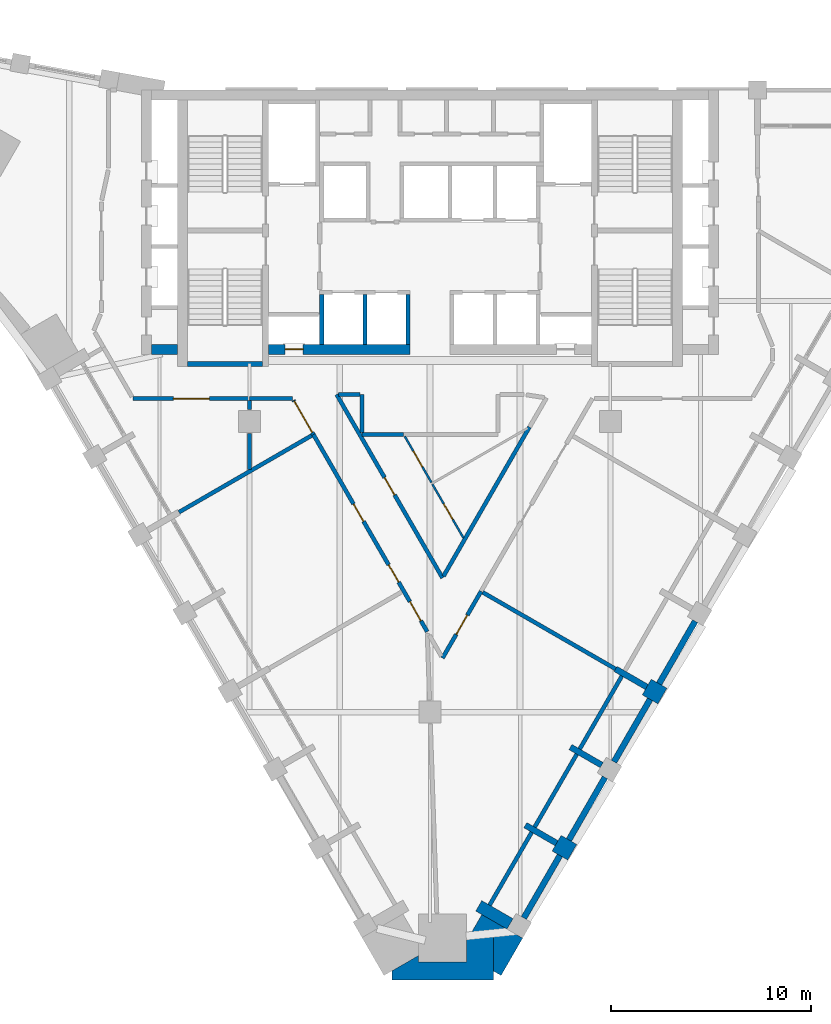
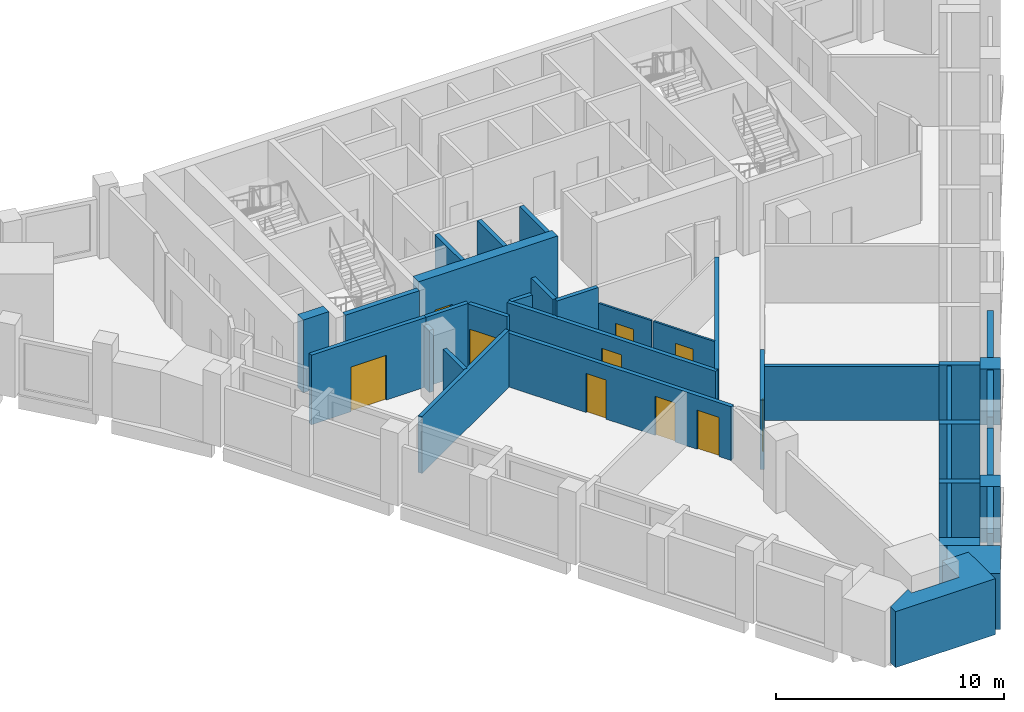
# One storey, part 3 of 9: 37 walls, 10 doors, 10 openings.
"""IFC4 building model written with IfcOpenShell, lengths in metres."""

from ifc_helpers import new_model, si_unit, direction, frame, frame_2d, origin, place, context, subcontext, project, spatial, polyline, rectangle, outline, extrude, material, layer, layer_set, type_object, element, fill, save


model = new_model("IFC4")

# Units and contexts
model_context = context("Model", 3, precision=1e-05, world=origin(), true_north=direction((0.0, 1.0)))
body_context = subcontext(model_context, "Body", "Model", "MODEL_VIEW")
ifc_project = project(units=[si_unit("LENGTHUNIT", "METRE"), si_unit("AREAUNIT", "SQUARE_METRE"), si_unit("VOLUMEUNIT", "CUBIC_METRE"), si_unit("PLANEANGLEUNIT", "RADIAN"), si_unit("MASSUNIT", "GRAM", prefix="KILO")], contexts=[model_context])

# Site, building, storey
site_placement = place(None, origin())
site = spatial("IfcSite", under=ifc_project, at=site_placement, CompositionType="ELEMENT")
building_placement = place(site_placement, origin())
building = spatial("IfcBuilding", under=site, at=building_placement, Name="Calabash Gate Tower", CompositionType="ELEMENT")
storey_placement = place(building_placement, frame((0.0, 0.0, 223.699951171875)))
storey = spatial("IfcBuildingStorey", under=building, at=storey_placement, Name="L53", CompositionType="ELEMENT", Elevation=223.699951171875)

# Walls
ifc_material_1 = material(Name="Terracotta brick masonry, exposed face", Category="masonry")
ifc_layer_1 = layer(ifc_material_1, 2.35009765625)
ifc_layer_set_1 = layer_set([ifc_layer_1], Name="Brick corner mass wall 2350")
wall_type_1 = type_object("IfcWallType", Name="Brick corner mass wall 2350", PredefinedType="SOLIDWALL", material=ifc_layer_set_1)
wall_1_placement = place(storey_placement, origin())
element("IfcWall", 1, at=wall_1_placement, inside=storey, type_object=wall_type_1, Name="Brick corner pier S15 2b", PredefinedType="SOLIDWALL", context=body_context, shape_type="SweptSolid", body=[
    extrude(outline(polyline([(1.825927734375, -24.471923828125), (-0.573974609375, -24.471923828125), (-0.573974609375, -24.146240234375), (-1.906005859375, -24.915283203125), (-1.906005859375, -25.365234375), (3.157958984375, -25.365234375), (3.157958984375, -23.01513671875), (1.825927734375, -23.01513671875), (1.825927734375, -24.471923828125)])), origin(), (0.0, 0.0, 1.0), 3.0),
])
wall_2_placement = place(storey_placement, origin())
element("IfcWall", 2, at=wall_2_placement, inside=storey, type_object=wall_type_1, Name="Brick corner pier S15 2c", PredefinedType="SOLIDWALL", context=body_context, shape_type="SweptSolid", body=[
    extrude(outline(polyline([(4.623779296875, -23.275634765625), (2.5888671875, -22.100830078125), (2.06103515625, -23.01513671875), (3.157958984375, -23.01513671875), (3.157958984375, -24.915283203125), (3.547607421875, -25.14013671875), (4.623779296875, -23.275634765625)])), origin(), (0.0, 0.0, 1.0), 3.0),
])
ifc_material_2 = material(Name="Terracotta brick masonry, exposed face", Category="masonry")
ifc_layer_2 = layer(ifc_material_2, 0.89990234375)
ifc_layer_set_2 = layer_set([ifc_layer_2], Name="Brick end wall 900")
wall_type_2 = type_object("IfcWallType", Name="Brick end wall 900", PredefinedType="SOLIDWALL", material=ifc_layer_set_2)
for number, where, z_axis, x_axis, name in (
    (3, (6.484375, -19.15380859375, 0.0), (0.0, 0.0, 1.0), (0.499902469156, 0.866081705922, 0.0), "Brick pier S15 SE2.1"),
    (4, (11.434326171875, -10.580078125, 0.0), (0.0, 0.0, 1.0), (-0.499902469156, -0.866081705922, 0.0), "Brick pier S15 SE2.3"),
):
    element("IfcWall", number, at=place(storey_placement, frame(where, z_axis=z_axis, x_axis=x_axis)), inside=storey, type_object=wall_type_2, Name=name, PredefinedType="SOLIDWALL", context=body_context, shape_type="SweptSolid", body=[
        extrude(rectangle(XDim=0.900146484375, YDim=0.89990234375, at=frame_2d((0.4501953125, 0.0))), origin(), (0.0, 0.0, 1.0), 3.0),
    ])
ifc_material_3 = material(Name="Terracotta brick masonry, exposed face", Category="masonry")
ifc_layer_3 = layer(ifc_material_3, 0.300048828125)
ifc_layer_set_3 = layer_set([ifc_layer_3], Name="Brick infill panel wall 300")
wall_type_3 = type_object("IfcWallType", Name="Brick infill panel wall 300", PredefinedType="SOLIDWALL", material=ifc_layer_set_3)
for number, where, z_axis, x_axis, name in (
    (5, (4.684326171875, -22.271484375, 0.0), (0.0, 0.0, 1.0), (0.500012057535, 0.866018442252, 0.0), "Brick panel S15 SE2.1"),
    (6, (6.934326171875, -18.374267578125, 0.0), (0.0, 0.0, 1.0), (0.500012057535, 0.866018442252, 0.0), "Brick panel S15 SE2.2"),
):
    element("IfcWall", number, at=place(storey_placement, frame(where, z_axis=z_axis, x_axis=x_axis)), inside=storey, type_object=wall_type_3, Name=name, PredefinedType="SOLIDWALL", context=body_context, shape_type="SweptSolid", body=[
        extrude(rectangle(XDim=3.60009765625, YDim=0.300048828125, at=frame_2d((1.800048828125, 0.0))), origin(), (0.0, 0.0, 1.0), 3.0),
    ])
wall_3_placement = place(storey_placement, frame((9.184326171875, -14.477294921875, 0.0), z_axis=(0.0, 0.0, 1.0), x_axis=(0.500012057535, 0.866018442252, 0.0)))
element("IfcWall", 7, at=wall_3_placement, inside=storey, type_object=wall_type_3, Name="Brick panel S15 SE2.3", PredefinedType="SOLIDWALL", context=body_context, shape_type="SweptSolid", body=[
    extrude(rectangle(XDim=3.60009765625, YDim=0.300048828125, at=frame_2d((1.800048828125, 0.0))), origin(), (0.0, 0.0, 1.0), 2.9501953125),
])
wall_4_placement = place(storey_placement, frame((11.434326171875, -10.580078125, 0.0), z_axis=(0.0, 0.0, 1.0), x_axis=(0.499990559667, 0.866030854095, 0.0)))
element("IfcWall", 8, at=wall_4_placement, inside=storey, type_object=wall_type_3, Name="Brick panel S15 SE2.4", PredefinedType="SOLIDWALL", context=body_context, shape_type="SweptSolid", body=[
    extrude(rectangle(XDim=3.599609375, YDim=0.300048828125, at=frame_2d((1.7998046875, 0.0))), origin(), (0.0, 0.0, 1.0), 3.0),
])
ifc_material_4 = material(Name="Terracotta brick masonry, exposed face", Category="masonry")
ifc_layer_4 = layer(ifc_material_4, 0.300048828125)
ifc_layer_set_4 = layer_set([ifc_layer_4], Name="Brick loggia cheek wall 300")
wall_type_4 = type_object("IfcWallType", Name="Brick loggia cheek wall 300", PredefinedType="SOLIDWALL", material=ifc_layer_set_4)
wall_5_placement = place(storey_placement, frame((2.435791015625, -21.666015625, 0.0), z_axis=(0.0, 0.0, 1.0), x_axis=(0.866013897511, -0.50001992892, 0.0)))
element("IfcWall", 9, at=wall_5_placement, inside=storey, type_object=wall_type_4, Name="Loggia cheek S15 SE2.0", PredefinedType="SOLIDWALL", context=body_context, shape_type="SweptSolid", body=[
    extrude(rectangle(XDim=1.7998046875, YDim=0.60009765625, at=frame_2d((0.89990234375, 0.0))), origin(), (0.0, 0.0, 1.0), 3.0),
])
wall_6_placement = place(storey_placement, frame((6.319580078125, -18.5390625, 0.0), z_axis=(0.0, 0.0, 1.0), x_axis=(-0.865989075817, 0.500062916607, 0.0)))
element("IfcWall", 10, at=wall_6_placement, inside=storey, type_object=wall_type_4, Name="Loggia cheek S15 SE2.1", PredefinedType="SOLIDWALL", context=body_context, shape_type="SweptSolid", body=[
    extrude(rectangle(XDim=1.800048828125, YDim=0.300048828125, at=frame_2d((0.89990234375, 0.0))), origin(), (0.0, 0.0, 1.0), 3.0),
])
wall_7_placement = place(storey_placement, frame((8.5693359375, -14.641845703125, 0.0), z_axis=(0.0, 0.0, 1.0), x_axis=(-0.866013897511, 0.50001992892, 0.0)))
element("IfcWall", 11, at=wall_7_placement, inside=storey, type_object=wall_type_4, Name="Loggia cheek S15 SE2.2", PredefinedType="SOLIDWALL", context=body_context, shape_type="SweptSolid", body=[
    extrude(rectangle(XDim=1.7998046875, YDim=0.300048828125, at=frame_2d((0.89990234375, 0.0))), origin(), (0.0, 0.0, 1.0), 3.0),
])
wall_8_placement = place(storey_placement, frame((10.819580078125, -10.744873046875, 0.0), z_axis=(0.0, 0.0, 1.0), x_axis=(-0.865989075817, 0.500062916607, 0.0)))
element("IfcWall", 12, at=wall_8_placement, inside=storey, type_object=wall_type_4, Name="Loggia cheek S15 SE2.3", PredefinedType="SOLIDWALL", context=body_context, shape_type="SweptSolid", body=[
    extrude(rectangle(XDim=1.800048828125, YDim=0.300048828125, at=frame_2d((0.89990234375, 0.0))), origin(), (0.0, 0.0, 1.0), 3.0),
])
ifc_material_5 = material(Name="Concrete C70/85", Category="concrete")
ifc_layer_5 = layer(ifc_material_5, 0.25)
ifc_layer_set_5 = layer_set([ifc_layer_5], Name="Core wall 250 Concrete C70/85")
wall_type_5 = type_object("IfcWallType", Name="Core wall 250 Concrete C70/85", PredefinedType="SHEAR", material=ifc_layer_set_5)
wall_9_placement = place(storey_placement, frame((-12.10009765625, 5.377685546875, 0.0), z_axis=(0.0, 0.0, 1.0), x_axis=(1.0, 0.0, 0.0)))
element("IfcWall", 13, at=wall_9_placement, inside=storey, type_object=wall_type_5, Name="Core wall Z4-SSW L53", PredefinedType="SHEAR", context=body_context, shape_type="SweptSolid", body=[
    extrude(rectangle(XDim=3.75, YDim=0.25, at=frame_2d((1.875, 0.0))), origin(), (0.0, 0.0, 1.0), 3.900146484375),
])

# Wall, opening, door
ifc_material_6 = material(Name="Concrete C70/85", Category="concrete")
ifc_layer_6 = layer(ifc_material_6, 0.5)
ifc_layer_set_6 = layer_set([ifc_layer_6], Name="Core wall 500 Concrete C70/85")
wall_type_6 = type_object("IfcWallType", Name="Core wall 500 Concrete C70/85", PredefinedType="SHEAR", material=ifc_layer_set_6)
wall_10_placement = place(storey_placement, frame((-8.050048828125, 6.1025390625, 0.0), z_axis=(0.0, 0.0, 1.0), x_axis=(1.0, 0.0, 0.0)))
wall_10 = element("IfcWall", 14, at=wall_10_placement, inside=storey, type_object=wall_type_6, Name="Core wall Z4-SA L53", PredefinedType="SHEAR", context=body_context, shape_type="SweptSolid", body=[
    extrude(rectangle(XDim=7.050048828125, YDim=0.5, at=frame_2d((3.52490234375, 0.0))), origin(), (0.0, 0.0, 1.0), 3.900146484375),
])
opening_1_placement = place(wall_10_placement, frame((0.824951171875, 0.0, 0.0)))
opening_1 = element("IfcOpeningElement", 15, at=opening_1_placement, cuts=wall_10, Name="Opening O7-017", PredefinedType="OPENING", context=body_context, shape_type="SweptSolid", body=[
    extrude(rectangle(XDim=0.89990234375, YDim=2.10009765625, at=frame_2d((0.449951171875, 1.050048828125))), frame((0.0, 0.260009765625, 0.0), z_axis=(0.0, -1.0, 0.0), x_axis=(1.0, 0.0, 0.0)), (0.0, 0.0, 1.0), 0.52001953125),
])
ifc_material_7 = material(Name="Steel fire door set with fire-resisting glazing", Category="steel")
door_type_1 = type_object("IfcDoorType", Name="Fire door D07 900x2100 FD90", OperationType="NOTDEFINED", PredefinedType="DOOR", material=ifc_material_7)
door_1_placement = place(opening_1_placement, origin())
door_1 = element("IfcDoor", 16, at=door_1_placement, inside=storey, type_object=door_type_1, Name="Electrical Riser W door", OperationType="SINGLE_SWING_LEFT", OverallHeight=2.10009765625, OverallWidth=0.89990234375, PredefinedType="DOOR", context=body_context, shape_type="SweptSolid", body=[
    extrude(rectangle(XDim=0.89990234375, YDim=2.10009765625, at=frame_2d((0.449951171875, 1.050048828125))), frame((0.0, 0.02490234375, 0.0), z_axis=(0.0, -1.0, 0.0), x_axis=(1.0, 0.0, 0.0)), (0.0, 0.0, 1.0), 0.050048828125),
])
fill(opening_1, door_1)

# Wall
wall_11_placement = place(storey_placement, frame((-12.60009765625, 6.1025390625, 0.0), z_axis=(0.0, 0.0, 1.0), x_axis=(-1.0, 0.0, 0.0)))
element("IfcWall", 17, at=wall_11_placement, inside=storey, type_object=wall_type_6, Name="Core wall Z4-SW L53", PredefinedType="SHEAR", context=body_context, shape_type="SweptSolid", body=[
    extrude(rectangle(XDim=1.2998046875, YDim=0.5, at=frame_2d((0.64990234375, 0.0))), origin(), (0.0, 0.0, 1.0), 3.900146484375),
])

# Wall, opening, door
ifc_material_8 = material(Name="Gypsum board on steel studs, mineral wool", Category="steel")
ifc_layer_7 = layer(ifc_material_8, 0.10009765625)
ifc_layer_set_7 = layer_set([ifc_layer_7], Name="Partition 100 gypsum board")
wall_type_7 = type_object("IfcWallType", Name="Partition 100 gypsum board", PredefinedType="PARTITIONING", material=ifc_layer_set_7)
wall_12_placement = place(storey_placement, frame((0.1240234375, -0.631103515625, 0.0), z_axis=(0.0, 0.0, 1.0), x_axis=(0.500479866737, -0.865748175274, 0.0)))
wall_12 = element("IfcWall", 18, at=wall_12_placement, inside=storey, type_object=wall_type_7, Name="Partition", PredefinedType="PARTITIONING", context=body_context, shape_type="SweptSolid", body=[
    extrude(rectangle(XDim=3.0966796875, YDim=0.10009765625, at=frame_2d((1.54833984375, 0.0))), origin(), (0.0, 0.0, 1.0), 2.884033203125),
])
opening_2_placement = place(wall_12_placement, frame((1.123779296875, 0.0, 0.0)))
opening_2 = element("IfcOpeningElement", 19, at=opening_2_placement, cuts=wall_12, Name="Opening 52-54-015", PredefinedType="OPENING", context=body_context, shape_type="SweptSolid", body=[
    extrude(rectangle(XDim=0.89990234375, YDim=2.10009765625, at=frame_2d((0.449951171875, 1.050048828125))), frame((0.0, 0.06005859375, 0.0), z_axis=(0.0, -1.0, 0.0), x_axis=(1.0, 0.0, 0.0)), (0.0, 0.0, 1.0), 0.1201171875),
])
ifc_material_9 = material(Name="Painted timber door", Category="wood")
door_type_2 = type_object("IfcDoorType", Name="WD1 WC door 900x2100", OperationType="NOTDEFINED", PredefinedType="DOOR", material=ifc_material_9)
door_2_placement = place(opening_2_placement, origin())
door_2 = element("IfcDoor", 20, at=door_2_placement, inside=storey, type_object=door_type_2, Name="WC door", OperationType="SINGLE_SWING_RIGHT", OverallHeight=2.10009765625, OverallWidth=0.89990234375, PredefinedType="DOOR", context=body_context, shape_type="SweptSolid", body=[
    extrude(rectangle(XDim=0.89990234375, YDim=2.10009765625, at=frame_2d((0.449951171875, 1.050048828125))), frame((0.0, 0.02490234375, 0.0), z_axis=(0.0, -1.0, 0.0), x_axis=(1.0, 0.0, 0.0)), (0.0, 0.0, 1.0), 0.050048828125),
])
fill(opening_2, door_2)

wall_13_placement = place(storey_placement, frame((-1.2578125, 1.765869140625, 0.0), z_axis=(0.0, 0.0, 1.0), x_axis=(0.50002892151, -0.866008705299, 0.0)))
wall_13 = element("IfcWall", 21, at=wall_13_placement, inside=storey, type_object=wall_type_7, Name="Partition", PredefinedType="PARTITIONING", context=body_context, shape_type="SweptSolid", body=[
    extrude(rectangle(XDim=2.666259765625, YDim=0.10009765625, at=frame_2d((1.3330078125, 0.0))), origin(), (0.0, 0.0, 1.0), 2.884033203125),
])
opening_3_placement = place(wall_13_placement, frame((0.857666015625, 0.0, 0.0)))
opening_3 = element("IfcOpeningElement", 22, at=opening_3_placement, cuts=wall_13, Name="Opening 52-54-014", PredefinedType="OPENING", context=body_context, shape_type="SweptSolid", body=[
    extrude(rectangle(XDim=0.89990234375, YDim=2.10009765625, at=frame_2d((0.449951171875, 1.050048828125))), frame((0.0, 0.06005859375, 0.0), z_axis=(0.0, -1.0, 0.0), x_axis=(1.0, 0.0, 0.0)), (0.0, 0.0, 1.0), 0.1201171875),
])
door_3_placement = place(opening_3_placement, origin())
door_3 = element("IfcDoor", 23, at=door_3_placement, inside=storey, type_object=door_type_2, Name="WC door", OperationType="SINGLE_SWING_LEFT", OverallHeight=2.10009765625, OverallWidth=0.89990234375, PredefinedType="DOOR", context=body_context, shape_type="SweptSolid", body=[
    extrude(rectangle(XDim=0.89990234375, YDim=2.10009765625, at=frame_2d((0.449951171875, 1.050048828125))), frame((0.0, 0.02490234375, 0.0), z_axis=(0.0, -1.0, 0.0), x_axis=(1.0, 0.0, 0.0)), (0.0, 0.0, 1.0), 0.050048828125),
])
fill(opening_3, door_3)

# Wall
ifc_material_10 = material(Name="Gypsum board on steel studs, mineral wool", Category="steel")
ifc_layer_8 = layer(ifc_material_10, 0.199951171875)
ifc_layer_set_8 = layer_set([ifc_layer_8], Name="Partition 200 gypsum board EI 60")
wall_type_8 = type_object("IfcWallType", Name="Partition 200 gypsum board EI 60", PredefinedType="PARTITIONING", material=ifc_layer_set_8)
wall_14_placement = place(storey_placement, frame((2.635009765625, -6.021728515625, 0.0), z_axis=(0.0, 0.0, 1.0), x_axis=(0.866123944565, -0.499829283508, 0.0)))
element("IfcWall", 24, at=wall_14_placement, inside=storey, type_object=wall_type_8, Name="Partition", PredefinedType="PARTITIONING", context=body_context, shape_type="SweptSolid", body=[
    extrude(rectangle(XDim=7.649658203125, YDim=0.199951171875, at=frame_2d((3.82470703125, 0.0))), origin(), (0.0, 0.0, 1.0), 2.884033203125),
])

# Wall, openings, doors
wall_15_placement = place(storey_placement, frame((-5.81494140625, 1.85107421875, 0.0), z_axis=(0.0, 0.0, 1.0), x_axis=(0.499991042018, -0.866030575616, 0.0)))
wall_15 = element("IfcWall", 25, at=wall_15_placement, inside=storey, type_object=wall_type_8, Name="Partition", PredefinedType="PARTITIONING", context=body_context, shape_type="SweptSolid", body=[
    extrude(rectangle(XDim=11.356689453125, YDim=0.199951171875, at=frame_2d((5.67822265625, 0.0))), origin(), (0.0, 0.0, 1.0), 2.884033203125),
])
opening_4_placement = place(wall_15_placement, frame((4.0, 0.0, 0.0)))
opening_4 = element("IfcOpeningElement", 26, at=opening_4_placement, cuts=wall_15, Name="Opening 52-54-001", PredefinedType="OPENING", context=body_context, shape_type="SweptSolid", body=[
    extrude(rectangle(XDim=1.0, YDim=2.10009765625, at=frame_2d((0.5, 1.050048828125))), frame((0.0, 0.10986328125, 0.0), z_axis=(0.0, -1.0, 0.0), x_axis=(1.0, 0.0, 0.0)), (0.0, 0.0, 1.0), 0.219970703125),
])
opening_5_placement = place(wall_15_placement, frame((7.50146484375, 0.0, 0.0)))
opening_5 = element("IfcOpeningElement", 27, at=opening_5_placement, cuts=wall_15, Name="Opening 52-54-002", PredefinedType="OPENING", context=body_context, shape_type="SweptSolid", body=[
    extrude(rectangle(XDim=1.0, YDim=2.10009765625, at=frame_2d((0.5, 1.050048828125))), frame((0.0, 0.10986328125, 0.0), z_axis=(0.0, -1.0, 0.0), x_axis=(1.0, 0.0, 0.0)), (0.0, 0.0, 1.0), 0.219970703125),
])
opening_6_placement = place(wall_15_placement, frame((9.627197265625, 0.0, 0.0)))
opening_6 = element("IfcOpeningElement", 28, at=opening_6_placement, cuts=wall_15, Name="Opening 52-54-012", PredefinedType="OPENING", context=body_context, shape_type="SweptSolid", body=[
    extrude(rectangle(XDim=1.10009765625, YDim=2.10009765625, at=frame_2d((0.550048828125, 1.050048828125))), frame((0.0, 0.10986328125, 0.0), z_axis=(0.0, -1.0, 0.0), x_axis=(1.0, 0.0, 0.0)), (0.0, 0.0, 1.0), 0.219970703125),
])
ifc_material_11 = material(Name="Steel fire door set with fire-resisting glazing", Category="steel")
door_type_3 = type_object("IfcDoorType", Name="GD3 Suite entrance door 1100x2100", OperationType="NOTDEFINED", PredefinedType="DOOR", material=ifc_material_11)
door_4_placement = place(opening_6_placement, origin())
door_4 = element("IfcDoor", 29, at=door_4_placement, inside=storey, type_object=door_type_3, Name="Suite entrance door", OperationType="SINGLE_SWING_LEFT", OverallHeight=2.10009765625, OverallWidth=1.10009765625, PredefinedType="DOOR", context=body_context, shape_type="SweptSolid", body=[
    extrude(rectangle(XDim=1.10009765625, YDim=2.10009765625, at=frame_2d((0.550048828125, 1.050048828125))), frame((0.0, 0.02490234375, 0.0), z_axis=(0.0, -1.0, 0.0), x_axis=(1.0, 0.0, 0.0)), (0.0, 0.0, 1.0), 0.050048828125),
])
fill(opening_6, door_4)
ifc_material_12 = material(Name="Steel fire door set with fire-resisting glazing", Category="steel")
door_type_4 = type_object("IfcDoorType", Name="LD2 Meeting room door 1000x2100", OperationType="NOTDEFINED", PredefinedType="DOOR", material=ifc_material_12)
door_5_placement = place(opening_4_placement, origin())
door_5 = element("IfcDoor", 30, at=door_5_placement, inside=storey, type_object=door_type_4, Name="Meeting room door", OperationType="SINGLE_SWING_LEFT", OverallHeight=2.10009765625, OverallWidth=1.0, PredefinedType="DOOR", context=body_context, shape_type="SweptSolid", body=[
    extrude(rectangle(XDim=1.0, YDim=2.10009765625, at=frame_2d((0.5, 1.050048828125))), frame((0.0, 0.02490234375, 0.0), z_axis=(0.0, -1.0, 0.0), x_axis=(1.0, 0.0, 0.0)), (0.0, 0.0, 1.0), 0.050048828125),
])
fill(opening_4, door_5)
door_6_placement = place(opening_5_placement, origin())
door_6 = element("IfcDoor", 31, at=door_6_placement, inside=storey, type_object=door_type_4, Name="Meeting room door", OperationType="SINGLE_SWING_RIGHT", OverallHeight=2.10009765625, OverallWidth=1.0, PredefinedType="DOOR", context=body_context, shape_type="SweptSolid", body=[
    extrude(rectangle(XDim=1.0, YDim=2.10009765625, at=frame_2d((0.5, 1.050048828125))), frame((0.0, 0.02490234375, 0.0), z_axis=(0.0, -1.0, 0.0), x_axis=(1.0, 0.0, 0.0)), (0.0, 0.0, 1.0), 0.050048828125),
])
fill(opening_5, door_6)

# Wall, opening, door
wall_16_placement = place(storey_placement, frame((0.626220703125, -9.30126953125, 0.0), z_axis=(0.0, 0.0, 1.0), x_axis=(0.500330475361, 0.865834519655, 0.0)))
wall_16 = element("IfcWall", 32, at=wall_16_placement, inside=storey, type_object=wall_type_8, Name="Partition", PredefinedType="PARTITIONING", context=body_context, shape_type="SweptSolid", body=[
    extrude(rectangle(XDim=3.84619140625, YDim=0.199951171875, at=frame_2d((1.923095703125, 0.0))), origin(), (0.0, 0.0, 1.0), 3.72998046875),
])
opening_7_placement = place(wall_16_placement, frame((1.373046875, 0.0, 0.0)))
opening_7 = element("IfcOpeningElement", 33, at=opening_7_placement, cuts=wall_16, Name="Opening 52-54-011", PredefinedType="OPENING", context=body_context, shape_type="SweptSolid", body=[
    extrude(rectangle(XDim=1.10009765625, YDim=2.10009765625, at=frame_2d((0.550048828125, 1.050048828125))), frame((0.0, 0.10986328125, 0.0), z_axis=(0.0, -1.0, 0.0), x_axis=(1.0, 0.0, 0.0)), (0.0, 0.0, 1.0), 0.219970703125),
])
door_7_placement = place(opening_7_placement, origin())
door_7 = element("IfcDoor", 34, at=door_7_placement, inside=storey, type_object=door_type_3, Name="Suite entrance door", OperationType="SINGLE_SWING_LEFT", OverallHeight=2.10009765625, OverallWidth=1.10009765625, PredefinedType="DOOR", context=body_context, shape_type="SweptSolid", body=[
    extrude(rectangle(XDim=1.10009765625, YDim=2.10009765625, at=frame_2d((0.550048828125, 1.050048828125))), frame((0.0, 0.02490234375, 0.0), z_axis=(0.0, -1.0, 0.0), x_axis=(1.0, 0.0, 0.0)), (0.0, 0.0, 1.0), 0.050048828125),
])
fill(opening_7, door_7)

# Walls
wall_17_placement = place(storey_placement, frame((0.67578125, -5.213623046875, 0.0), z_axis=(0.0, 0.0, 1.0), x_axis=(0.499295729612, 0.866431632843, 0.0)))
element("IfcWall", 35, at=wall_17_placement, inside=storey, type_object=wall_type_8, Name="Partition", PredefinedType="PARTITIONING", context=body_context, shape_type="SweptSolid", body=[
    extrude(rectangle(XDim=8.58642578125, YDim=0.199951171875, at=frame_2d((4.293212890625, 0.0))), origin(), (0.0, 0.0, 1.0), 2.884033203125),
])
wall_18_placement = place(storey_placement, frame((-12.525146484375, -2.0224609375, 0.0), z_axis=(0.0, 0.0, 1.0), x_axis=(0.865836806481, 0.500326517929, 0.0)))
element("IfcWall", 36, at=wall_18_placement, inside=storey, type_object=wall_type_8, Name="Partition", PredefinedType="PARTITIONING", context=body_context, shape_type="SweptSolid", body=[
    extrude(rectangle(XDim=7.6494140625, YDim=0.199951171875, at=frame_2d((3.82470703125, 0.0))), origin(), (0.0, 0.0, 1.0), 3.052001953125),
])

# Wall, opening, door
wall_19_placement = place(storey_placement, frame((-6.802978515625, 3.5654296875, 0.0), z_axis=(0.0, 0.0, 1.0), x_axis=(0.49997529981, -0.866039663976, 0.0)))
wall_19 = element("IfcWall", 37, at=wall_19_placement, inside=storey, type_object=wall_type_8, Name="Partition", PredefinedType="PARTITIONING", context=body_context, shape_type="SweptSolid", body=[
    extrude(rectangle(XDim=1.97802734375, YDim=0.199951171875, at=frame_2d((0.989013671875, 0.0))), origin(), (0.0, 0.0, 1.0), 3.72998046875),
])
opening_8_placement = place(wall_19_placement, frame((0.05810546875, 0.0, 0.0)))
opening_8 = element("IfcOpeningElement", 38, at=opening_8_placement, cuts=wall_19, Name="Opening 52-54-008", PredefinedType="OPENING", context=body_context, shape_type="SweptSolid", body=[
    extrude(rectangle(XDim=1.800048828125, YDim=2.39990234375, at=frame_2d((0.89990234375, 1.199951171875))), frame((0.0, 0.10986328125, 0.0), z_axis=(0.0, -1.0, 0.0), x_axis=(1.0, 0.0, 0.0)), (0.0, 0.0, 1.0), 0.219970703125),
])
ifc_material_13 = material(Name="Steel fire door set with fire-resisting glazing", Category="steel")
door_type_5 = type_object("IfcDoorType", Name="TD1 Tenancy entrance double door 1800x2400", OperationType="NOTDEFINED", PredefinedType="DOOR", material=ifc_material_13)
door_8_placement = place(opening_8_placement, origin())
door_8 = element("IfcDoor", 39, at=door_8_placement, inside=storey, type_object=door_type_5, Name="Tenancy entrance double door", OperationType="DOUBLE_DOOR_SINGLE_SWING", OverallHeight=2.39990234375, OverallWidth=1.800048828125, PredefinedType="DOOR", context=body_context, shape_type="SweptSolid", body=[
    extrude(rectangle(XDim=1.800048828125, YDim=2.39990234375, at=frame_2d((0.89990234375, 1.199951171875))), frame((0.0, 0.02490234375, 0.0), z_axis=(0.0, -1.0, 0.0), x_axis=(1.0, 0.0, 0.0)), (0.0, 0.0, 1.0), 0.050048828125),
])
fill(opening_8, door_8)

# Walls
wall_20_placement = place(storey_placement, frame((-3.400146484375, 1.852294921875, 0.0), z_axis=(0.0, 0.0, 1.0), x_axis=(0.999999666027, -0.000817279353, 0.0)))
element("IfcWall", 40, at=wall_20_placement, inside=storey, type_object=wall_type_8, Name="Partition", PredefinedType="PARTITIONING", context=body_context, shape_type="SweptSolid", body=[
    extrude(rectangle(XDim=2.091064453125, YDim=0.199951171875, at=frame_2d((1.04541015625, 0.0))), origin(), (0.0, 0.0, 1.0), 3.72998046875),
])
wall_21_placement = place(storey_placement, frame((-8.999755859375, 1.89990234375, 0.0), z_axis=(0.0, 0.0, 1.0), x_axis=(0.000957853967, -0.999999541258, 0.0)))
element("IfcWall", 41, at=wall_21_placement, inside=storey, type_object=wall_type_8, Name="Partition", PredefinedType="PARTITIONING", context=body_context, shape_type="SweptSolid", body=[
    extrude(rectangle(XDim=1.7841796875, YDim=0.199951171875, at=frame_2d((0.89208984375, 0.0))), origin(), (0.0, 0.0, 1.0), 3.052001953125),
])
wall_22_placement = place(storey_placement, frame((-3.400146484375, 3.852294921875, 0.0), z_axis=(0.0, 0.0, 1.0), x_axis=(0.0, -1.0, 0.0)))
element("IfcWall", 42, at=wall_22_placement, inside=storey, type_object=wall_type_8, Name="Partition", PredefinedType="PARTITIONING", context=body_context, shape_type="SweptSolid", body=[
    extrude(rectangle(XDim=1.89990234375, YDim=0.199951171875, at=frame_2d((0.949951171875, 0.0))), origin(), (0.0, 0.0, 1.0), 3.72998046875),
])
wall_23_placement = place(storey_placement, frame((-8.999755859375, 3.10009765625, 0.0), z_axis=(0.0, 0.0, 1.0), x_axis=(0.003241474056, 0.999994746409, 0.0)))
element("IfcWall", 43, at=wall_23_placement, inside=storey, type_object=wall_type_8, Name="Partition", PredefinedType="PARTITIONING", context=body_context, shape_type="SweptSolid", body=[
    extrude(rectangle(XDim=0.451904296875, YDim=0.199951171875, at=frame_2d((0.22607421875, 0.0))), origin(), (0.0, 0.0, 1.0), 3.33154296875),
])

# Wall, opening, door
wall_24_placement = place(storey_placement, frame((-14.820556640625, 3.65234375, 0.0), z_axis=(0.0, 0.0, 1.0), x_axis=(0.999999956896, -0.000293611832, 0.0)))
wall_24 = element("IfcWall", 44, at=wall_24_placement, inside=storey, type_object=wall_type_8, Name="Partition", PredefinedType="PARTITIONING", context=body_context, shape_type="SweptSolid", body=[
    extrude(rectangle(XDim=5.820556640625, YDim=0.199951171875, at=frame_2d((2.91015625, 0.0))), origin(), (0.0, 0.0, 1.0), 3.72998046875),
])
opening_9_placement = place(wall_24_placement, frame((2.010498046875, 0.0, 0.0)))
opening_9 = element("IfcOpeningElement", 45, at=opening_9_placement, cuts=wall_24, Name="Opening 52-54-007", PredefinedType="OPENING", context=body_context, shape_type="SweptSolid", body=[
    extrude(rectangle(XDim=1.800048828125, YDim=2.39990234375, at=frame_2d((0.89990234375, 1.199951171875))), frame((0.0, 0.10986328125, 0.0), z_axis=(0.0, -1.0, 0.0), x_axis=(1.0, 0.0, 0.0)), (0.0, 0.0, 1.0), 0.219970703125),
])
door_9_placement = place(opening_9_placement, origin())
door_9 = element("IfcDoor", 46, at=door_9_placement, inside=storey, type_object=door_type_5, Name="Tenancy entrance double door", OperationType="DOUBLE_DOOR_SINGLE_SWING", OverallHeight=2.39990234375, OverallWidth=1.800048828125, PredefinedType="DOOR", context=body_context, shape_type="SweptSolid", body=[
    extrude(rectangle(XDim=1.800048828125, YDim=2.39990234375, at=frame_2d((0.89990234375, 1.199951171875))), frame((0.0, 0.02490234375, 0.0), z_axis=(0.0, -1.0, 0.0), x_axis=(1.0, 0.0, 0.0)), (0.0, 0.0, 1.0), 0.050048828125),
])
fill(opening_9, door_9)

# Wall
wall_25_placement = place(storey_placement, frame((-8.999755859375, 3.650634765625, 0.0), z_axis=(0.0, 0.0, 1.0), x_axis=(0.999999767192, 0.00068236081, 0.0)))
element("IfcWall", 47, at=wall_25_placement, inside=storey, type_object=wall_type_8, Name="Partition", PredefinedType="PARTITIONING", context=body_context, shape_type="SweptSolid", body=[
    extrude(rectangle(XDim=2.146728515625, YDim=0.199951171875, at=frame_2d((1.0732421875, 0.0))), origin(), (0.0, 0.0, 1.0), 3.72998046875),
])

# Wall, opening, door
wall_26_placement = place(storey_placement, frame((-4.658447265625, 3.852294921875, 0.0), z_axis=(0.0, 0.0, 1.0), x_axis=(0.500012400782, -0.866018244071, 0.0)))
wall_26 = element("IfcWall", 48, at=wall_26_placement, inside=storey, type_object=wall_type_8, Name="Partition", PredefinedType="PARTITIONING", context=body_context, shape_type="SweptSolid", body=[
    extrude(rectangle(XDim=10.568603515625, YDim=0.199951171875, at=frame_2d((5.2841796875, 0.0))), origin(), (0.0, 0.0, 1.0), 2.884033203125),
])
opening_10_placement = place(wall_26_placement, frame((4.7841796875, 0.0, 0.0)))
opening_10 = element("IfcOpeningElement", 49, at=opening_10_placement, cuts=wall_26, Name="Opening 52-54-013", PredefinedType="OPENING", context=body_context, shape_type="SweptSolid", body=[
    extrude(rectangle(XDim=1.0, YDim=2.10009765625, at=frame_2d((0.5, 1.050048828125))), frame((0.0, 0.10986328125, 0.0), z_axis=(0.0, -1.0, 0.0), x_axis=(1.0, 0.0, 0.0)), (0.0, 0.0, 1.0), 0.219970703125),
])
ifc_material_14 = material(Name="Steel fire door set with fire-resisting glazing", Category="steel")
door_type_6 = type_object("IfcDoorType", Name="WD3 WC lobby door 1000x2100", OperationType="NOTDEFINED", PredefinedType="DOOR", material=ifc_material_14)
door_10_placement = place(opening_10_placement, origin())
door_10 = element("IfcDoor", 50, at=door_10_placement, inside=storey, type_object=door_type_6, Name="WC lobby door", OperationType="SINGLE_SWING_LEFT", OverallHeight=2.10009765625, OverallWidth=1.0, PredefinedType="DOOR", context=body_context, shape_type="SweptSolid", body=[
    extrude(rectangle(XDim=1.0, YDim=2.10009765625, at=frame_2d((0.5, 1.050048828125))), frame((0.0, 0.02490234375, 0.0), z_axis=(0.0, -1.0, 0.0), x_axis=(1.0, 0.0, 0.0)), (0.0, 0.0, 1.0), 0.050048828125),
])
fill(opening_10, door_10)

# Walls
wall_27_placement = place(storey_placement, frame((-4.558349609375, 3.852294921875, 0.0), z_axis=(0.0, 0.0, 1.0), x_axis=(1.0, 0.0, 0.0)))
element("IfcWall", 51, at=wall_27_placement, inside=storey, type_object=wall_type_8, Name="Partition", PredefinedType="PARTITIONING", context=body_context, shape_type="SweptSolid", body=[
    extrude(rectangle(XDim=1.05810546875, YDim=0.199951171875, at=frame_2d((0.529052734375, 0.0))), origin(), (0.0, 0.0, 1.0), 2.884033203125),
])
ifc_material_15 = material(Name="Concrete C40/50", Category="concrete")
ifc_layer_9 = layer(ifc_material_15, 0.199951171875)
ifc_layer_set_9 = layer_set([ifc_layer_9], Name="Shaft wall 200 Concrete C40/50")
wall_type_9 = type_object("IfcWallType", Name="Shaft wall 200 Concrete C40/50", PredefinedType="SOLIDWALL", material=ifc_layer_set_9)
for number, where, z_axis, x_axis, name in (
    (52, (-5.39990234375, 6.3525390625, 0.0), (0.0, 0.0, 1.0), (0.0, 1.0, 0.0), "Shaft wall"),
    (53, (-3.25, 6.3525390625, 0.0), (0.0, 0.0, 1.0), (0.0, 1.0, 0.0), "Shaft wall"),
    (54, (-1.10009765625, 6.3525390625, 0.0), (0.0, 0.0, 1.0), (0.0, 1.0, 0.0), "Shaft wall"),
):
    element("IfcWall", number, at=place(storey_placement, frame(where, z_axis=z_axis, x_axis=x_axis)), inside=storey, type_object=wall_type_9, Name=name, PredefinedType="SOLIDWALL", context=body_context, shape_type="SweptSolid", body=[
        extrude(rectangle(XDim=2.5, YDim=0.199951171875, at=frame_2d((1.25, 0.0))), origin(), (0.0, 0.0, 1.0), 3.72998046875),
    ])
ifc_material_16 = material(Name="Aluminium framed window wall with insulated spandrel", Category="aluminium")
ifc_layer_10 = layer(ifc_material_16, 0.199951171875)
ifc_layer_set_10 = layer_set([ifc_layer_10], Name="Window wall 200")
wall_type_10 = type_object("IfcWallType", Name="Window wall 200", PredefinedType="ELEMENTEDWALL", material=ifc_layer_set_10)
wall_28_placement = place(storey_placement, frame((2.975341796875, -21.63134765625, 0.0), z_axis=(0.0, 0.0, 1.0), x_axis=(0.500002543286, 0.866023935413, 0.0)))
element("IfcWall", 55, at=wall_28_placement, inside=storey, type_object=wall_type_10, Name="Window wall S15 SE2.1", PredefinedType="ELEMENTEDWALL", context=body_context, shape_type="SweptSolid", body=[
    extrude(rectangle(XDim=4.2001953125, YDim=0.199951171875, at=frame_2d((2.10009765625, 0.0))), origin(), (0.0, 0.0, 1.0), 3.0),
])
wall_29_placement = place(storey_placement, frame((5.225341796875, -17.734130859375, 0.0), z_axis=(0.0, 0.0, 1.0), x_axis=(0.500027713859, 0.866009402589, 0.0)))
element("IfcWall", 56, at=wall_29_placement, inside=storey, type_object=wall_type_10, Name="Window wall S15 SE2.2", PredefinedType="ELEMENTEDWALL", context=body_context, shape_type="SweptSolid", body=[
    extrude(rectangle(XDim=4.199951171875, YDim=0.199951171875, at=frame_2d((2.10009765625, 0.0))), origin(), (0.0, 0.0, 1.0), 3.0),
])
wall_30_placement = place(storey_placement, frame((7.475341796875, -13.8369140625, 0.0), z_axis=(0.0, 0.0, 1.0), x_axis=(0.500027713859, 0.866009402589, 0.0)))
element("IfcWall", 57, at=wall_30_placement, inside=storey, type_object=wall_type_10, Name="Window wall S15 SE2.3", PredefinedType="ELEMENTEDWALL", context=body_context, shape_type="SweptSolid", body=[
    extrude(rectangle(XDim=4.199951171875, YDim=0.199951171875, at=frame_2d((2.10009765625, 0.0))), origin(), (0.0, 0.0, 1.0), 2.9501953125),
])

save(model, "model.ifc")
